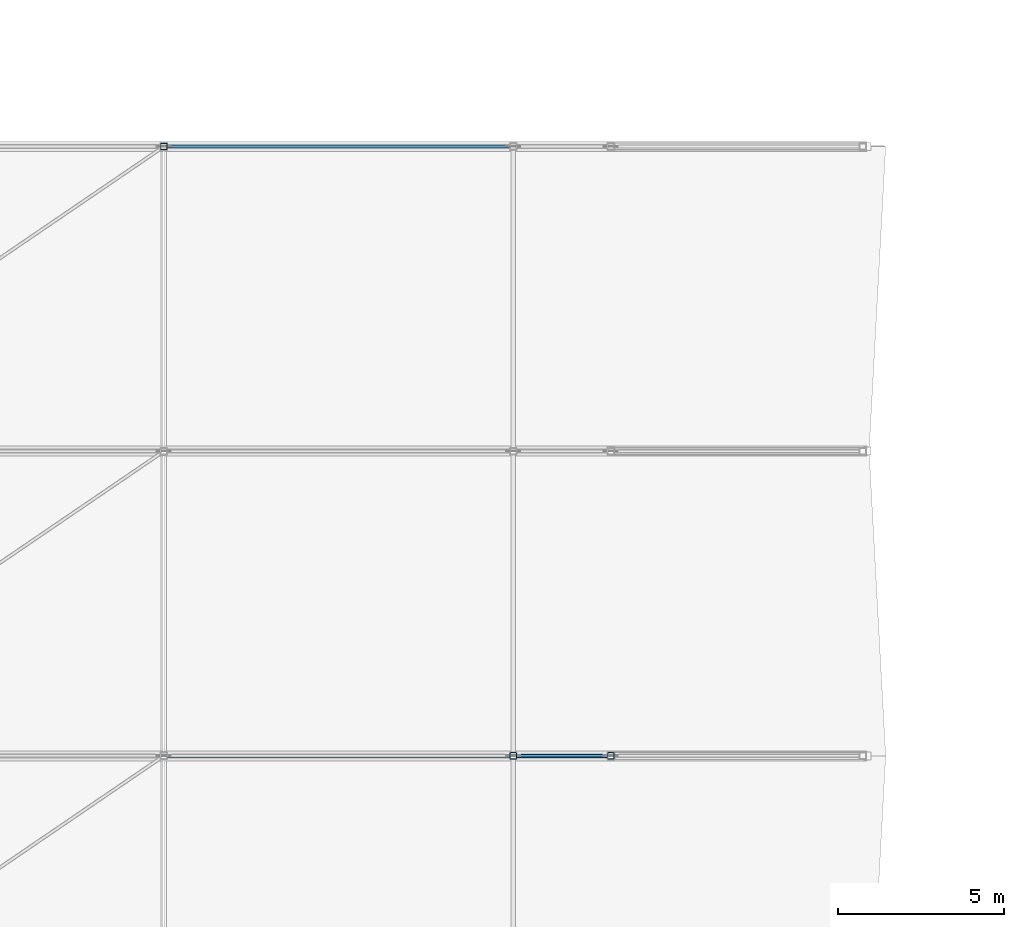
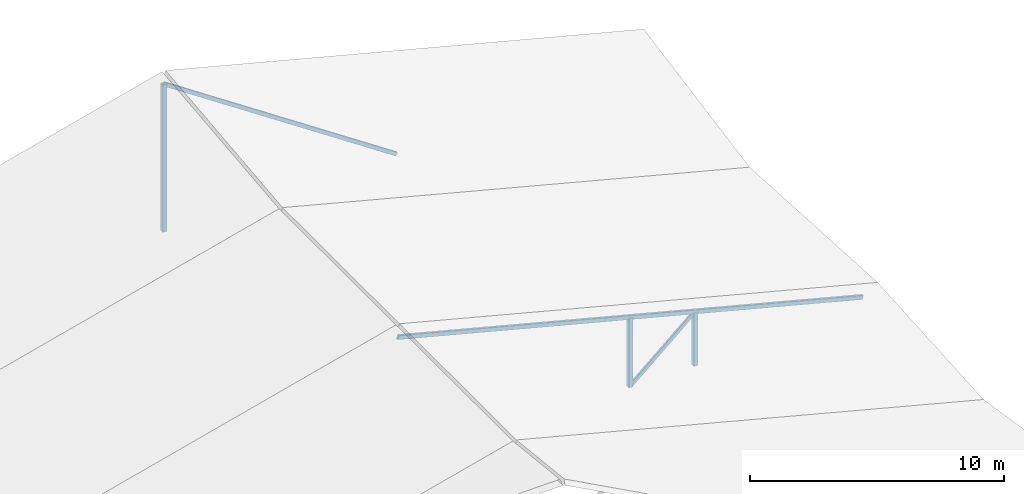
# One storey, part 22 of 56: 6 members.
"""IFC4 building model written with IfcOpenShell, lengths in metres."""

from ifc_helpers import new_model, si_unit, direction, frame, origin, origin_2d, place, context, subcontext, project, spatial, hollow_rectangle, extrude, material, material_profile, profile_set, type_object, element, save


model = new_model("IFC4")

# Units and contexts
model_context = context("Model", 3, precision=1e-05, world=origin(), true_north=direction((0.0, 1.0)))
body_context = subcontext(model_context, "Body", "Model", "MODEL_VIEW")
ifc_project = project(units=[si_unit("LENGTHUNIT", "METRE"), si_unit("AREAUNIT", "SQUARE_METRE"), si_unit("VOLUMEUNIT", "CUBIC_METRE"), si_unit("PLANEANGLEUNIT", "RADIAN"), si_unit("MASSUNIT", "GRAM", prefix="KILO")], contexts=[model_context])

# Site, building, storey
site_placement = place(None, origin())
site = spatial("IfcSite", under=ifc_project, at=site_placement, CompositionType="ELEMENT")
building_placement = place(site_placement, origin())
building = spatial("IfcBuilding", under=site, at=building_placement, Name="Bozkorgan Art Gallery", CompositionType="ELEMENT")
storey_placement = place(building_placement, frame((0.0, 0.0, 24.0)))
storey = spatial("IfcBuildingStorey", under=building, at=storey_placement, Name="L05", CompositionType="ELEMENT", Elevation=24.0)

# Members
ifc_material = material(Name="Steel S355J2", Category="steel")
ifc_material_profile_1 = material_profile(ifc_material, hollow_rectangle(XDim=0.1201171875, YDim=0.199951171875, WallThickness=0.008056640625, InnerFilletRadius=0.011962890625, OuterFilletRadius=0.02001953125, at=origin_2d()), Name="RHS 200x120x8")
ifc_profile_set_1 = profile_set([ifc_material_profile_1], Name="Steel S355J2")
member_type_1 = type_object("IfcMemberType", Name="MEMBER-TC-48", PredefinedType="CHORD", material=ifc_profile_set_1)
member_1_placement = place(storey_placement, frame((87.5, 66.0, 6.2294921875), z_axis=(0.968148409779, 0.0, -0.250377028984), x_axis=(0.0, 1.0, 0.0)))
element("IfcMember", 1, at=member_1_placement, inside=storey, type_object=member_type_1, Name="ROOF-V4-MAIN roof truss 3 east top chord", PredefinedType="CHORD", context=body_context, shape_type="SweptSolid", body=[
    extrude(hollow_rectangle(XDim=0.1201171875, YDim=0.199951171875, WallThickness=0.008056640625, InnerFilletRadius=0.011962890625, OuterFilletRadius=0.02001953125, at=origin_2d()), origin(), (0.0, 0.0, 1.0), 21.794189453125),
])
ifc_material_profile_2 = material_profile(ifc_material, hollow_rectangle(XDim=0.199951171875, YDim=0.199951171875, WallThickness=0.010009765625, InnerFilletRadius=0.014892578125, OuterFilletRadius=0.02490234375, at=origin_2d()), Name="SHS 200x200x10")
ifc_profile_set_2 = profile_set([ifc_material_profile_2], Name="Steel S355J2")
member_type_2 = type_object("IfcMemberType", Name="MEMBER-TP-32", PredefinedType="POST", material=ifc_profile_set_2)
member_2_placement = place(storey_placement, frame((98.050048828125, 66.0, 0.179931640625), z_axis=(0.0, 0.0, 1.0), x_axis=(1.0, 0.0, 0.0)))
element("IfcMember", 2, at=member_2_placement, inside=storey, type_object=member_type_2, Name="ROOF-V4-MAIN roof truss 3 post 4", PredefinedType="POST", context=body_context, shape_type="SweptSolid", body=[
    extrude(hollow_rectangle(XDim=0.199951171875, YDim=0.199951171875, WallThickness=0.010009765625, InnerFilletRadius=0.014892578125, OuterFilletRadius=0.02490234375, at=origin_2d()), origin(), (0.0, 0.0, 1.0), 3.321044921875),
])
member_3_placement = place(storey_placement, frame((101.0, 66.0, 0.179931640625), z_axis=(0.0, 0.0, 1.0), x_axis=(1.0, 0.0, 0.0)))
element("IfcMember", 3, at=member_3_placement, inside=storey, type_object=member_type_2, Name="ROOF-V4-MAIN roof truss 3 post 5", PredefinedType="POST", context=body_context, shape_type="SweptSolid", body=[
    extrude(hollow_rectangle(XDim=0.199951171875, YDim=0.199951171875, WallThickness=0.010009765625, InnerFilletRadius=0.014892578125, OuterFilletRadius=0.02490234375, at=origin_2d()), origin(), (0.0, 0.0, 1.0), 2.55810546875),
])
member_4_placement = place(storey_placement, frame((87.5, 84.39990234375, 0.179931640625), z_axis=(0.0, 0.0, 1.0), x_axis=(1.0, 0.0, 0.0)))
element("IfcMember", 4, at=member_4_placement, inside=storey, type_object=member_type_2, Name="ROOF-V4-MAIN roof truss 5 post 3", PredefinedType="POST", context=body_context, shape_type="SweptSolid", body=[
    extrude(hollow_rectangle(XDim=0.199951171875, YDim=0.199951171875, WallThickness=0.010009765625, InnerFilletRadius=0.014892578125, OuterFilletRadius=0.02490234375, at=origin_2d()), origin(), (0.0, 0.0, 1.0), 7.05712890625),
])
ifc_material_profile_3 = material_profile(ifc_material, hollow_rectangle(XDim=0.10009765625, YDim=0.179931640625, WallThickness=0.008056640625, InnerFilletRadius=0.011962890625, OuterFilletRadius=0.02001953125, at=origin_2d()), Name="RHS 180x100x8")
ifc_profile_set_3 = profile_set([ifc_material_profile_3], Name="Steel S355J2")
member_type_3 = type_object("IfcMemberType", Name="MEMBER-TW-22", PredefinedType="BRACE", material=ifc_profile_set_3)
member_5_placement = place(storey_placement, frame((98.050048828125, 66.0, 0.179931640625), z_axis=(0.755501315133, 0.0, 0.655147130676), x_axis=(0.0, 1.0, 0.0)))
element("IfcMember", 5, at=member_5_placement, inside=storey, type_object=member_type_3, Name="ROOF-V4-MAIN roof truss 3 diagonal 5", PredefinedType="BRACE", context=body_context, shape_type="SweptSolid", body=[
    extrude(hollow_rectangle(XDim=0.10009765625, YDim=0.179931640625, WallThickness=0.008056640625, InnerFilletRadius=0.011962890625, OuterFilletRadius=0.02001953125, at=origin_2d()), origin(), (0.0, 0.0, 1.0), 3.904541015625),
])
member_6_placement = place(storey_placement, frame((87.5, 84.39990234375, 7.237060546875), z_axis=(0.831185206962, 0.0, -0.555995640026), x_axis=(0.0, 1.0, 0.0)))
element("IfcMember", 6, at=member_6_placement, inside=storey, type_object=member_type_3, Name="ROOF-V4-MAIN roof truss 5 diagonal 4", PredefinedType="BRACE", context=body_context, shape_type="SweptSolid", body=[
    extrude(hollow_rectangle(XDim=0.10009765625, YDim=0.179931640625, WallThickness=0.008056640625, InnerFilletRadius=0.011962890625, OuterFilletRadius=0.02001953125, at=origin_2d()), origin(), (0.0, 0.0, 1.0), 12.69287109375),
])

save(model, "model.ifc")
